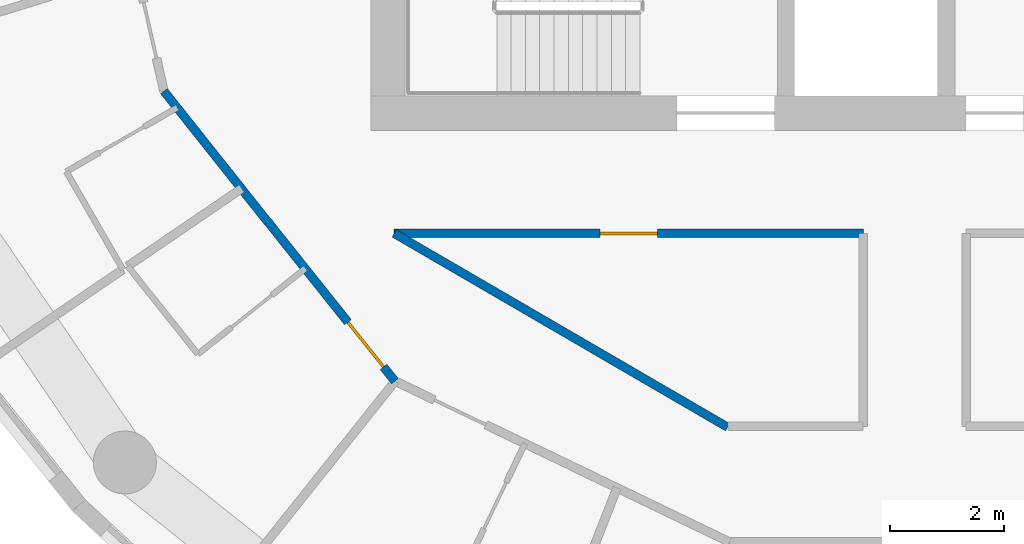
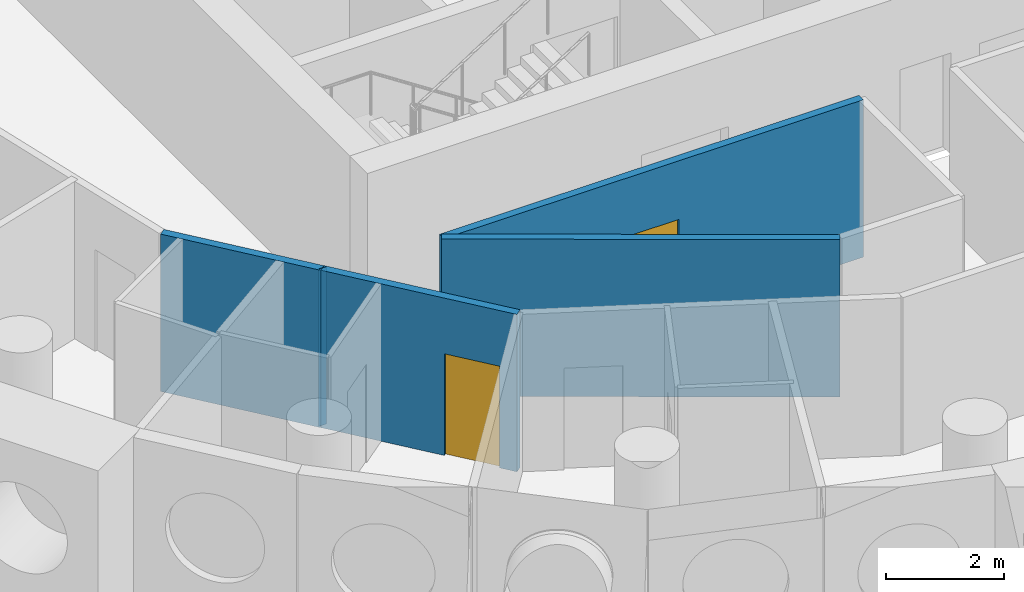
# One storey, part 3 of 13: 5 walls, 2 doors, 2 openings.
"""IFC4 building model written with IfcOpenShell, lengths in metres."""

from ifc_helpers import new_model, si_unit, direction, frame, frame_2d, origin, place, context, subcontext, project, spatial, rectangle, extrude, material, layer, layer_set, type_object, element, fill, save


model = new_model("IFC4")

# Units and contexts
model_context = context("Model", 3, precision=1e-05, world=origin(), true_north=direction((0.0, 1.0)))
body_context = subcontext(model_context, "Body", "Model", "MODEL_VIEW")
ifc_project = project(units=[si_unit("LENGTHUNIT", "METRE"), si_unit("AREAUNIT", "SQUARE_METRE"), si_unit("VOLUMEUNIT", "CUBIC_METRE"), si_unit("PLANEANGLEUNIT", "RADIAN"), si_unit("MASSUNIT", "GRAM", prefix="KILO")], contexts=[model_context])

# Site, building, storey
site_placement = place(None, origin())
site = spatial("IfcSite", under=ifc_project, at=site_placement, CompositionType="ELEMENT")
building_placement = place(site_placement, origin())
building = spatial("IfcBuilding", under=site, at=building_placement, Name="Tracery Tower", CompositionType="ELEMENT")
storey_placement = place(building_placement, frame((0.0, 0.0, 256.199951171875)))
storey = spatial("IfcBuildingStorey", under=building, at=storey_placement, Name="L66", CompositionType="ELEMENT", Elevation=256.199951171875)

# Wall, opening, door
ifc_material_1 = material(Name="Plasterboard on steel studs", Category="steel")
ifc_layer = layer(ifc_material_1, 0.14990234375)
ifc_layer_set = layer_set([ifc_layer], Name="Partition 150 corridor wall")
wall_type = type_object("IfcWallType", Name="Partition 150 corridor wall", PredefinedType="PARTITIONING", material=ifc_layer_set)
wall_1_placement = place(storey_placement, frame((-9.092041015625, -8.800048828125, 0.0), z_axis=(0.0, 0.0, 1.0), x_axis=(1.0, 0.0, 0.0)))
wall_1 = element("IfcWall", 1, at=wall_1_placement, inside=storey, type_object=wall_type, Name="Corridor wall RC3-011", PredefinedType="PARTITIONING", context=body_context, shape_type="SweptSolid", body=[
    extrude(rectangle(XDim=8.196044921875, YDim=0.14990234375, at=frame_2d((4.09814453125, 0.0))), origin(), (0.0, 0.0, 1.0), 3.25),
])
opening_1_placement = place(wall_1_placement, frame((3.597900390625, 0.0, 0.0)))
opening_1 = element("IfcOpeningElement", 2, at=opening_1_placement, cuts=wall_1, Name="Opening RC3-03", PredefinedType="OPENING", context=body_context, shape_type="SweptSolid", body=[
    extrude(rectangle(XDim=1.0, YDim=2.0400390625, at=frame_2d((0.5, 1.02001953125))), frame((0.0, 0.074951171875, 0.0), z_axis=(0.0, -1.0, 0.0), x_axis=(1.0, 0.0, 0.0)), (0.0, 0.0, 1.0), 0.14990234375),
])
ifc_material_2 = material(Name="Timber door leaf", Category="wood")
door_type_1 = type_object("IfcDoorType", Name="Door communal room 1000", OperationType="NOTDEFINED", PredefinedType="DOOR", material=ifc_material_2)
door_1_placement = place(opening_1_placement, origin())
door_1 = element("IfcDoor", 3, at=door_1_placement, inside=storey, type_object=door_type_1, Name="Communal room door RC3-03", OperationType="SINGLE_SWING_RIGHT", OverallHeight=2.0400390625, OverallWidth=1.0, PredefinedType="DOOR", context=body_context, shape_type="SweptSolid", body=[
    extrude(rectangle(XDim=1.0, YDim=2.0400390625, at=frame_2d((0.5, 1.02001953125))), frame((0.0, 0.02490234375, 0.0), z_axis=(0.0, -1.0, 0.0), x_axis=(1.0, 0.0, 0.0)), (0.0, 0.0, 1.0), 0.050048828125),
])
fill(opening_1, door_1)

# Wall
wall_2_placement = place(storey_placement, frame((-9.092041015625, -8.800048828125, 0.0), z_axis=(0.0, 0.0, 1.0), x_axis=(0.864470922103, -0.502682827277, 0.0)))
element("IfcWall", 4, at=wall_2_placement, inside=storey, type_object=wall_type, Name="Corridor wall RC3-012", PredefinedType="PARTITIONING", context=body_context, shape_type="SweptSolid", body=[
    extrude(rectangle(XDim=6.7353515625, YDim=0.14990234375, at=frame_2d((3.36767578125, 0.0))), origin(), (0.0, 0.0, 1.0), 3.25),
])

# Wall, opening, door
wall_3_placement = place(storey_placement, frame((-11.300048828125, -8.59619140625, 0.0), z_axis=(0.0, 0.0, 1.0), x_axis=(0.623165080354, -0.782090328944, 0.0)))
wall_3 = element("IfcWall", 5, at=wall_3_placement, inside=storey, type_object=wall_type, Name="Corridor wall RC3-015", PredefinedType="PARTITIONING", context=body_context, shape_type="SweptSolid", body=[
    extrude(rectangle(XDim=3.56396484375, YDim=0.14990234375, at=frame_2d((1.781982421875, 0.0))), origin(), (0.0, 0.0, 1.0), 3.25),
])
opening_2_placement = place(wall_3_placement, frame((2.243896484375, 0.0, 0.0)))
opening_2 = element("IfcOpeningElement", 6, at=opening_2_placement, cuts=wall_3, Name="Opening RC3-21", PredefinedType="OPENING", context=body_context, shape_type="SweptSolid", body=[
    extrude(rectangle(XDim=1.0, YDim=2.10009765625, at=frame_2d((0.5, 1.050048828125))), frame((0.0, 0.074951171875, 0.0), z_axis=(0.0, -1.0, 0.0), x_axis=(1.0, 0.0, 0.0)), (0.0, 0.0, 1.0), 0.14990234375),
])
ifc_material_3 = material(Name="Timber door leaf", Category="wood")
door_type_2 = type_object("IfcDoorType", Name="Door unit entrance 1000", OperationType="NOTDEFINED", PredefinedType="DOOR", material=ifc_material_3)
door_2_placement = place(opening_2_placement, origin())
door_2 = element("IfcDoor", 7, at=door_2_placement, inside=storey, type_object=door_type_2, Name="Unit entrance door RC3-21", OperationType="SINGLE_SWING_LEFT", OverallHeight=2.10009765625, OverallWidth=1.0, PredefinedType="DOOR", context=body_context, shape_type="SweptSolid", body=[
    extrude(rectangle(XDim=1.0, YDim=2.10009765625, at=frame_2d((0.5, 1.050048828125))), frame((0.0, 0.02490234375, 0.0), z_axis=(0.0, -1.0, 0.0), x_axis=(1.0, 0.0, 0.0)), (0.0, 0.0, 1.0), 0.050048828125),
])
fill(opening_2, door_2)

# Walls
wall_4_placement = place(storey_placement, frame((-11.300048828125, -8.59619140625, 0.0), z_axis=(0.0, 0.0, 1.0), x_axis=(0.0, 1.0, 0.0)))
element("IfcWall", 8, at=wall_4_placement, inside=storey, type_object=wall_type, Name="Corridor wall RC3-017", PredefinedType="PARTITIONING", context=body_context, shape_type="SweptSolid", body=[
    extrude(rectangle(XDim=0.01025390625, YDim=0.14990234375, at=frame_2d((0.005126953125, 0.0))), origin(), (0.0, 0.0, 1.0), 3.25),
])
wall_5_placement = place(storey_placement, frame((-13.114990234375, -6.31591796875, 0.0), z_axis=(0.0, 0.0, 1.0), x_axis=(0.622042479172, -0.782983495423, 0.0)))
element("IfcWall", 9, at=wall_5_placement, inside=storey, type_object=wall_type, Name="Corridor wall RC3-037", PredefinedType="PARTITIONING", context=body_context, shape_type="SweptSolid", body=[
    extrude(rectangle(XDim=2.9111328125, YDim=0.14990234375, at=frame_2d((1.45556640625, 0.0))), origin(), (0.0, 0.0, 1.0), 3.25),
])

save(model, "model.ifc")
